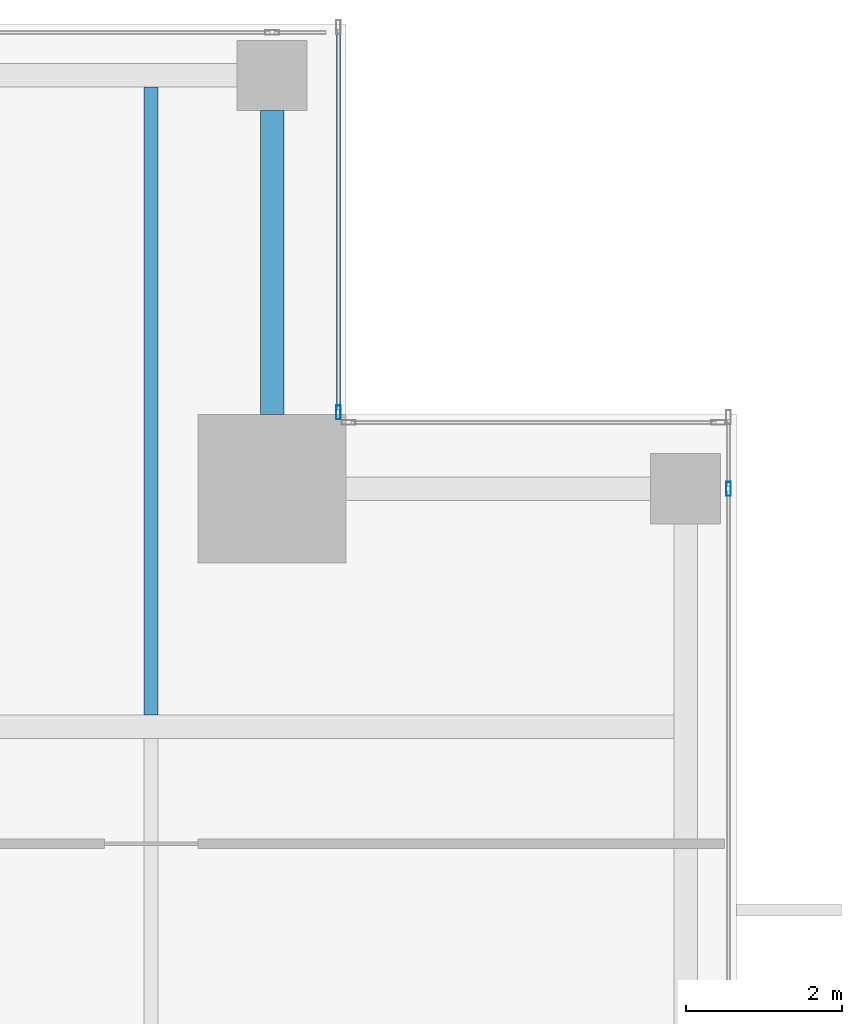
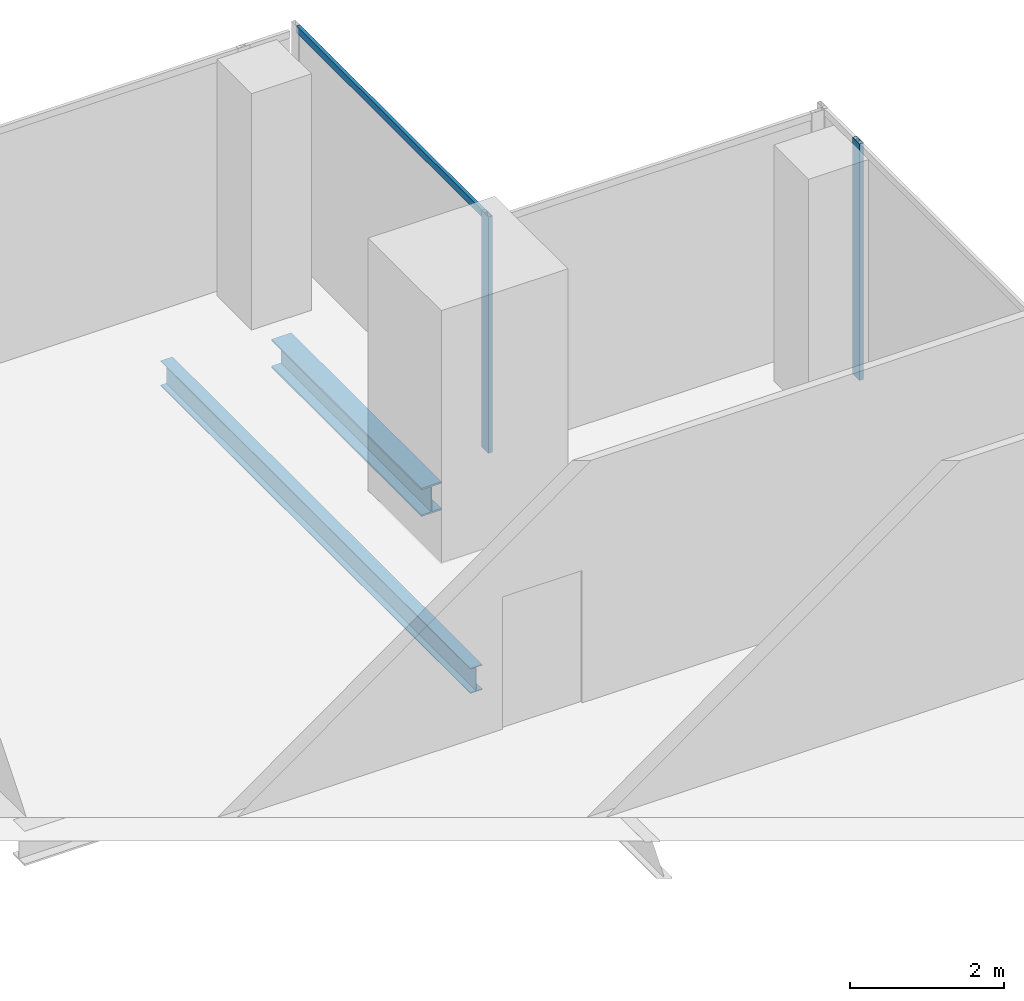
# One storey, part 23 of 36: 3 members, 2 beams, 2 elements without a shape of their own.
"""IFC4 building model written with IfcOpenShell, lengths in metres."""

from ifc_helpers import new_model, si_unit, direction, frame, origin, origin_2d, place, context, subcontext, project, spatial, hollow_rectangle, i_section, extrude, source, transform, mapped, material, material_profile, profile_set, type_object, element, aggregate, save


model = new_model("IFC4")

# Units and contexts
model_context = context("Model", 3, precision=1e-05, world=origin(), true_north=direction((0.0, 1.0)))
body_context = subcontext(model_context, "Body", "Model", "MODEL_VIEW")
ifc_project = project(units=[si_unit("LENGTHUNIT", "METRE"), si_unit("AREAUNIT", "SQUARE_METRE"), si_unit("VOLUMEUNIT", "CUBIC_METRE"), si_unit("PLANEANGLEUNIT", "RADIAN"), si_unit("MASSUNIT", "GRAM", prefix="KILO")], contexts=[model_context])

# Site, building, storey
site_placement = place(None, origin())
site = spatial("IfcSite", under=ifc_project, at=site_placement, CompositionType="ELEMENT")
building_placement = place(site_placement, origin())
building = spatial("IfcBuilding", under=site, at=building_placement, Name="Khomas Fold Tower", CompositionType="ELEMENT")
storey_placement = place(building_placement, frame((0.0, 0.0, 230.199951171875)))
storey = spatial("IfcBuildingStorey", under=building, at=storey_placement, Name="L51", CompositionType="ELEMENT", Elevation=230.199951171875)

# Beams
ifc_material_1 = material(Name="Steel S355", Category="steel")
ifc_material_profile_1 = material_profile(ifc_material_1, i_section(OverallWidth=0.300048828125, OverallDepth=0.449951171875, WebThickness=0.013916015625, FlangeThickness=0.02587890625, at=origin_2d()), Name="HE 450 B")
ifc_profile_set_1 = profile_set([ifc_material_profile_1], Name="Steel S355")
beam_type_1 = type_object("IfcBeamType", Name="HE 450 B spandrel SB4", PredefinedType="SPANDREL", material=ifc_profile_set_1)
shared_shape_1 = source(origin(), body_context, "Body", "SweptSolid", [
    extrude(i_section(OverallWidth=0.300048828125, OverallDepth=0.449951171875, WebThickness=0.013916015625, FlangeThickness=0.02587890625, at=origin_2d()), origin(), (0.0, 0.0, 1.0), 3.89990234375),
])
beam_1_placement = place(storey_placement, frame((43.550048828125, 44.5, -0.474853515625), z_axis=(0.0, 1.0, 0.0), x_axis=(-1.0, 0.0, 0.0)))
element("IfcBeam", 1, at=beam_1_placement, inside=storey, type_object=beam_type_1, Name="SB4", PredefinedType="SPANDREL", context=body_context, shape_type="MappedRepresentation", body=[
    mapped(shared_shape_1, transform((0.0, 0.0, 0.0))),
])
ifc_material_2 = material(Name="Steel S355", Category="steel")
ifc_material_profile_2 = material_profile(ifc_material_2, i_section(OverallWidth=0.179931640625, OverallDepth=0.39990234375, WebThickness=0.008544921875, FlangeThickness=0.013427734375, at=origin_2d()), Name="IPE 400")
ifc_profile_set_2 = profile_set([ifc_material_profile_2], Name="Steel S355")
beam_type_2 = type_object("IfcBeamType", Name="IPE 400 beam JB3", PredefinedType="BEAM", material=ifc_profile_set_2)
shared_shape_2 = source(origin(), body_context, "Body", "SweptSolid", [
    extrude(i_section(OverallWidth=0.179931640625, OverallDepth=0.39990234375, WebThickness=0.008544921875, FlangeThickness=0.013427734375, at=origin_2d()), origin(), (0.0, 0.0, 1.0), 8.050048828125),
])
beam_2_placement = place(storey_placement, frame((42.0, 40.64990234375, -0.449951171875), z_axis=(0.0, 1.0, 0.0), x_axis=(-1.0, 0.0, 0.0)))
element("IfcBeam", 2, at=beam_2_placement, inside=storey, type_object=beam_type_2, Name="JB3", PredefinedType="BEAM", context=body_context, shape_type="MappedRepresentation", body=[
    mapped(shared_shape_2, transform((0.0, 0.0, 0.0))),
])

# Curtain wall, member
ifc_material_3 = material(Name="Aluminium framed double glazing", Category="aluminium")
curtain_wall_type = type_object("IfcCurtainWallType", Name="SK-Unitised clear-glass wall, office floors CW2", PredefinedType="NOTDEFINED", material=ifc_material_3)
curtain_wall_1_placement = place(storey_placement, origin())
curtain_wall_1 = element("IfcCurtainWall", 3, at=curtain_wall_1_placement, inside=storey, type_object=curtain_wall_type, Name="CW2 run L51 03-1", PredefinedType="NOTDEFINED")
ifc_material_4 = material(Name="Aluminium", Category="aluminium")
ifc_material_profile_3 = material_profile(ifc_material_4, hollow_rectangle(XDim=0.06005859375, YDim=0.179931640625, WallThickness=0.00390625, at=origin_2d()), Name="SK-Unitised clear-glass wall, office floors mullion CW2-M")
ifc_profile_set_3 = profile_set([ifc_material_profile_3], Name="Aluminium")
member_type_1 = type_object("IfcMemberType", Name="SK-Unitised clear-glass wall, office floors mullion CW2-M", PredefinedType="MULLION", material=ifc_profile_set_3)
shared_shape_3 = source(origin(), body_context, "Body", "SweptSolid", [
    extrude(hollow_rectangle(XDim=0.06005859375, YDim=0.179931640625, WallThickness=0.00390625, at=origin_2d()), origin(), (0.0, 0.0, 1.0), 3.75),
])
member_1_placement = place(storey_placement, frame((49.39990234375, 43.550048828125, 0.0), z_axis=(0.0, 0.0, 1.0), x_axis=(-1.0, 0.0, 0.0)))
member_1 = element("IfcMember", 4, at=member_1_placement, type_object=member_type_1, Name="CW2 mullion 4", PredefinedType="MULLION", context=body_context, shape_type="MappedRepresentation", body=[
    mapped(shared_shape_3, transform((0.0, 0.0, 0.0))),
])
aggregate(curtain_wall_1, [member_1])

# Curtain wall, members
curtain_wall_2_placement = place(storey_placement, origin())
curtain_wall_2 = element("IfcCurtainWall", 5, at=curtain_wall_2_placement, inside=storey, type_object=curtain_wall_type, Name="CW2 corner return L51 05", PredefinedType="NOTDEFINED")
member_2_placement = place(storey_placement, frame((44.39990234375, 44.530029296875, 0.0), z_axis=(0.0, 0.0, 1.0), x_axis=(-1.0, 0.0, 0.0)))
member_2 = element("IfcMember", 6, at=member_2_placement, type_object=member_type_1, Name="CW2 mullion 1", PredefinedType="MULLION", context=body_context, shape_type="MappedRepresentation", body=[
    mapped(shared_shape_3, transform((0.0, 0.0, 0.0))),
])
ifc_material_5 = material(Name="Aluminium", Category="aluminium")
ifc_material_profile_4 = material_profile(ifc_material_5, hollow_rectangle(XDim=0.050048828125, YDim=0.110107421875, WallThickness=0.00390625, at=origin_2d()), Name="SK-Unitised clear-glass wall, office floors transom CW2-T")
ifc_profile_set_4 = profile_set([ifc_material_profile_4], Name="Aluminium")
member_type_2 = type_object("IfcMemberType", Name="SK-Unitised clear-glass wall, office floors transom CW2-T", PredefinedType="USERDEFINED", material=ifc_profile_set_4)
shared_shape_4 = source(origin(), body_context, "Body", "SweptSolid", [
    extrude(hollow_rectangle(XDim=0.050048828125, YDim=0.110107421875, WallThickness=0.00390625, at=origin_2d()), origin(), (0.0, 0.0, 1.0), 4.8798828125),
])
member_3_placement = place(storey_placement, frame((44.39990234375, 44.56005859375, 3.695068359375), z_axis=(0.0, 1.0, 0.0), x_axis=(-1.0, 0.0, 0.0)))
member_3 = element("IfcMember", 7, at=member_3_placement, type_object=member_type_2, Name="CW2 transom 1", ObjectType="TRANSOM", PredefinedType="USERDEFINED", context=body_context, shape_type="MappedRepresentation", body=[
    mapped(shared_shape_4, transform((0.0, 0.0, 0.0))),
])
aggregate(curtain_wall_2, [member_2, member_3])

save(model, "model.ifc")
